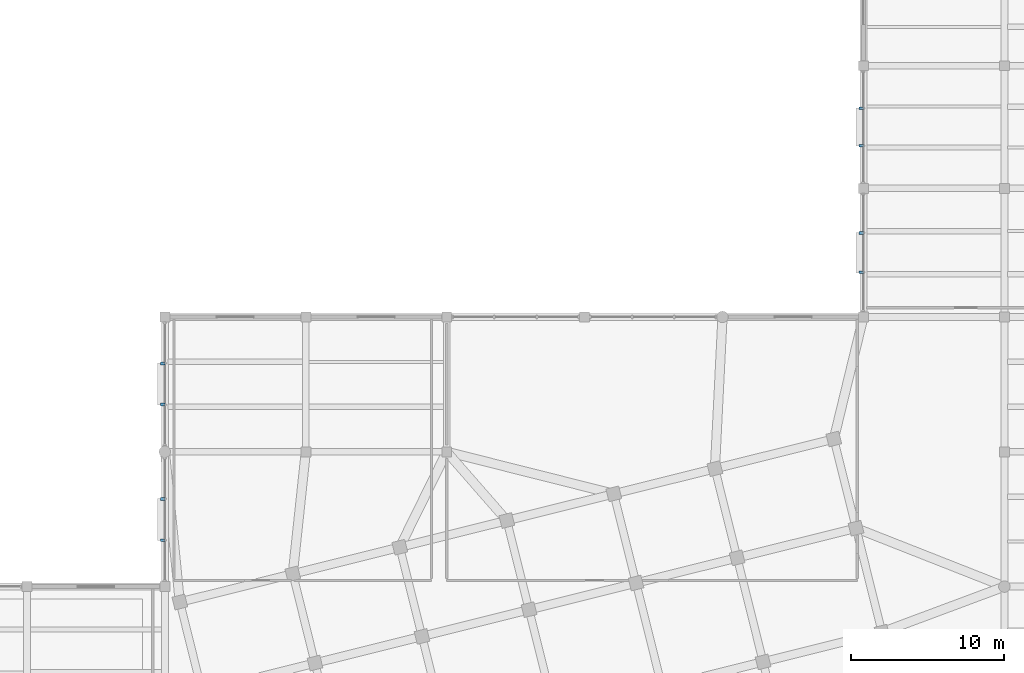
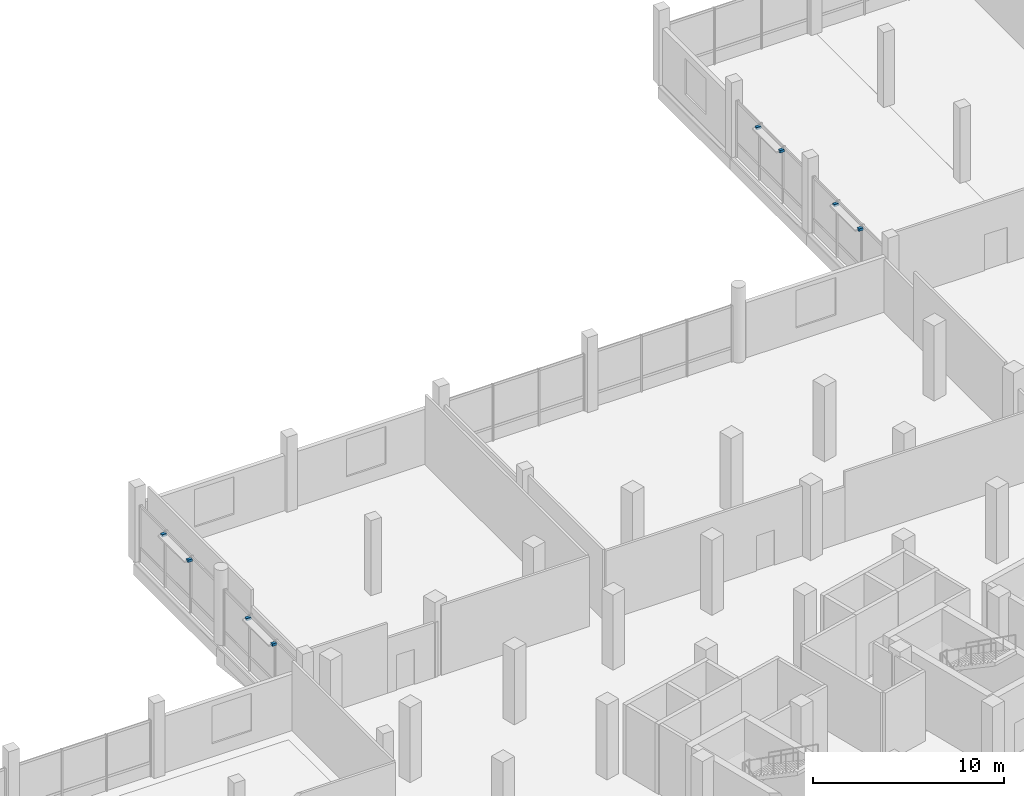
# One storey, part 65 of 71: 8 discrete accessories.
"""IFC4 building model written with IfcOpenShell, lengths in metres."""

from ifc_helpers import new_model, si_unit, direction, frame, origin, origin_2d, place, context, subcontext, project, spatial, rectangle, extrude, material, type_object, element, save


model = new_model("IFC4")

# Units and contexts
model_context = context("Model", 3, precision=1e-05, world=origin(), true_north=direction((0.0, 1.0)))
body_context = subcontext(model_context, "Body", "Model", "MODEL_VIEW")
ifc_project = project(units=[si_unit("LENGTHUNIT", "METRE"), si_unit("AREAUNIT", "SQUARE_METRE"), si_unit("VOLUMEUNIT", "CUBIC_METRE"), si_unit("PLANEANGLEUNIT", "RADIAN"), si_unit("MASSUNIT", "GRAM", prefix="KILO")], contexts=[model_context])

# Site, building, storey
site_placement = place(None, origin())
site = spatial("IfcSite", under=ifc_project, at=site_placement, CompositionType="ELEMENT")
building_placement = place(site_placement, origin())
building = spatial("IfcBuilding", under=site, at=building_placement, Name="Meriwether Solvik Hall", CompositionType="ELEMENT")
storey_placement = place(building_placement, frame((0.0, 0.0, 5.10009765625)))
storey = spatial("IfcBuildingStorey", under=building, at=storey_placement, Name="L01", CompositionType="ELEMENT", Elevation=5.10009765625)

# Discrete accessories
ifc_material = material(Name="Steel A36 Galvanised", Category="steel")
discrete_accessory_type = type_object("IfcDiscreteAccessoryType", Name="ACC-BRK-STL", PredefinedType="BRACKET", material=ifc_material)
for number, where, z_axis, x_axis, name in (
    (1, (59.260009765625, 78.22900390625, 3.31005859375), (0.0, 0.0, 1.0), (0.0, 1.0, 0.0), "Sunshade Outrigger Bracket wing_Y7_9_44-1"),
    (2, (59.260009765625, 80.9208984375, 3.31005859375), (0.0, 0.0, 1.0), (0.0, 1.0, 0.0), "Sunshade Outrigger Bracket wing_Y7_9_44-2"),
    (3, (59.260009765625, 87.0791015625, 3.31005859375), (0.0, 0.0, 1.0), (0.0, 1.0, 0.0), "Sunshade Outrigger Bracket wing_Y7_10_45-1"),
    (4, (59.260009765625, 89.77099609375, 3.31005859375), (0.0, 0.0, 1.0), (0.0, 1.0, 0.0), "Sunshade Outrigger Bracket wing_Y7_10_45-2"),
    (5, (104.860107421875, 95.71240234375, 3.31005859375), (0.0, 0.0, 1.0), (0.0, 1.0, 0.0), "Sunshade Outrigger Bracket wing_Y12_11_46-1"),
    (6, (104.860107421875, 98.28759765625, 3.31005859375), (0.0, 0.0, 1.0), (0.0, 1.0, 0.0), "Sunshade Outrigger Bracket wing_Y12_11_46-2"),
    (7, (104.860107421875, 103.97900390625, 3.31005859375), (0.0, 0.0, 1.0), (0.0, 1.0, 0.0), "Sunshade Outrigger Bracket wing_Y12_12_47-1"),
    (8, (104.860107421875, 106.4208984375, 3.31005859375), (0.0, 0.0, 1.0), (0.0, 1.0, 0.0), "Sunshade Outrigger Bracket wing_Y12_12_47-2"),
):
    element("IfcDiscreteAccessory", number, at=place(storey_placement, frame(where, z_axis=z_axis, x_axis=x_axis)), inside=storey, type_object=discrete_accessory_type, Name=name, PredefinedType="BRACKET", context=body_context, shape_type="SweptSolid", body=[
        extrude(rectangle(XDim=0.179931640625, YDim=0.280029296875, at=origin_2d()), origin(), (0.0, 0.0, 1.0), 0.159912109375),
    ])

save(model, "model.ifc")
